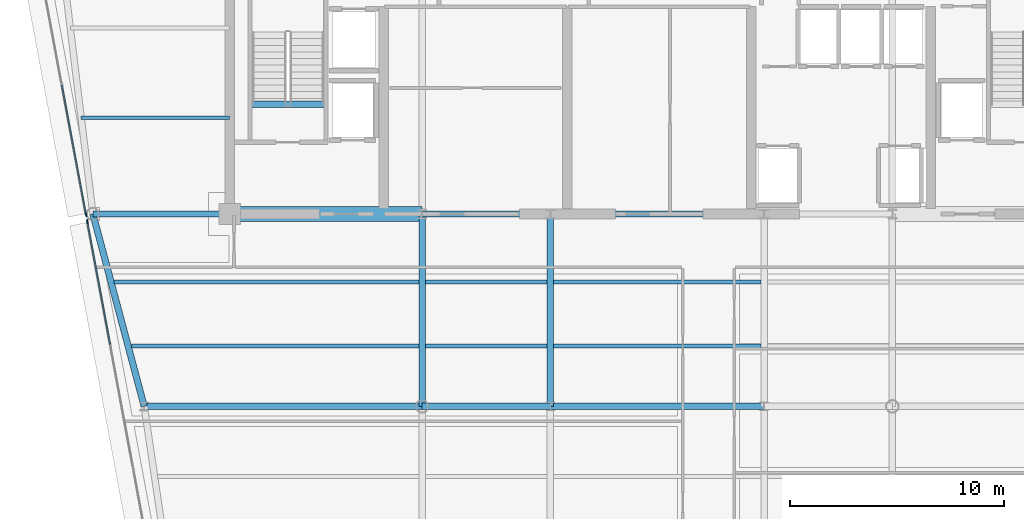
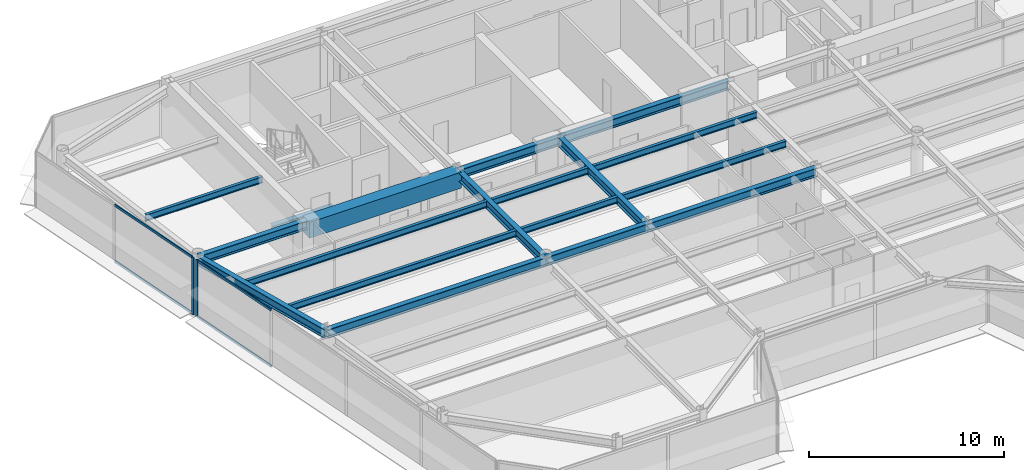
# One storey, part 4 of 18: 18 beams, 6 members, 2 elements without a shape of their own.
"""IFC4 building model written with IfcOpenShell, lengths in metres."""

from ifc_helpers import new_model, si_unit, direction, frame, origin, origin_2d, place, context, subcontext, project, spatial, rectangle, i_section, extrude, source, transform, mapped, material, layer, layer_set, material_profile, profile_set, type_object, element, aggregate, save


model = new_model("IFC4")

# Units and contexts
model_context = context("Model", 3, precision=1e-05, world=origin(), true_north=direction((0.0, 1.0)))
body_context = subcontext(model_context, "Body", "Model", "MODEL_VIEW")
ifc_project = project(units=[si_unit("LENGTHUNIT", "METRE"), si_unit("AREAUNIT", "SQUARE_METRE"), si_unit("VOLUMEUNIT", "CUBIC_METRE"), si_unit("PLANEANGLEUNIT", "RADIAN"), si_unit("MASSUNIT", "GRAM", prefix="KILO")], contexts=[model_context])

# Site, building, storey
site_placement = place(None, origin())
site = spatial("IfcSite", under=ifc_project, at=site_placement, CompositionType="ELEMENT")
building_placement = place(site_placement, origin())
building = spatial("IfcBuilding", under=site, at=building_placement, Name="Vaeldorn Concourse Tower", CompositionType="ELEMENT")
storey_placement = place(building_placement, frame((0.0, 0.0, 246.0)))
storey = spatial("IfcBuildingStorey", under=building, at=storey_placement, Name="L63", CompositionType="ELEMENT", Elevation=246.0)

# Beams
ifc_material_1 = material(Name="Concrete C50/60", Category="concrete")
ifc_material_profile_1 = material_profile(ifc_material_1, rectangle(XDim=0.699951171875, YDim=1.0, at=origin_2d()), Name="RC 700x1000")
ifc_profile_set_1 = profile_set([ifc_material_profile_1], Name="Concrete C50/60")
beam_type_1 = type_object("IfcBeamType", Name="BM-CB-RC700", PredefinedType="BEAM", material=ifc_profile_set_1)
shared_shape_1 = source(origin(), body_context, "Body", "SweptSolid", [
    extrude(rectangle(XDim=0.699951171875, YDim=1.0, at=origin_2d()), origin(), (0.0, 0.0, 1.0), 9.0),
])
beam_1_placement = place(storey_placement, frame((14.0, 36.5, 3.080078125), z_axis=(1.0, 0.0, 0.0), x_axis=(0.0, 1.0, 0.0)))
element("IfcBeam", 1, at=beam_1_placement, inside=storey, type_object=beam_type_1, Name="Core Coupling Beam L63-1", PredefinedType="BEAM", context=body_context, shape_type="MappedRepresentation", body=[
    mapped(shared_shape_1, transform((0.0, 0.0, 0.0), scale=1.0)),
])
ifc_material_2 = material(Name="Steel S355", Category="steel")
ifc_material_profile_2 = material_profile(ifc_material_2, i_section(OverallWidth=0.300048828125, OverallDepth=0.340087890625, WebThickness=0.011962890625, FlangeThickness=0.021484375, FilletRadius=0.027099609375, at=origin_2d()), Name="HEB 340")
ifc_profile_set_2 = profile_set([ifc_material_profile_2], Name="Steel S355")
beam_type_2 = type_object("IfcBeamType", Name="BM-ST-TRIM", PredefinedType="BEAM", material=ifc_profile_set_2)
shared_shape_2 = source(origin(), body_context, "Body", "SweptSolid", [
    extrude(i_section(OverallWidth=0.300048828125, OverallDepth=0.340087890625, WebThickness=0.011962890625, FlangeThickness=0.021484375, FilletRadius=0.027099609375, at=origin_2d()), origin(), (0.0, 0.0, 1.0), 3.590087890625),
])
beam_2_placement = place(storey_placement, frame((14.929931640625, 41.639892578125, -0.389892578125), z_axis=(1.0, 0.0, 0.0), x_axis=(0.0, 1.0, 0.0)))
element("IfcBeam", 2, at=beam_2_placement, inside=storey, type_object=beam_type_2, Name="Stair Landing Trimmer Beam ST-1 L63", PredefinedType="BEAM", context=body_context, shape_type="MappedRepresentation", body=[
    mapped(shared_shape_2, transform((0.0, 0.0, 0.0), scale=1.0)),
])
ifc_material_profile_3 = material_profile(ifc_material_2, i_section(OverallWidth=0.179931640625, OverallDepth=0.39990234375, WebThickness=0.008544921875, FlangeThickness=0.013427734375, FilletRadius=0.02099609375, at=origin_2d()), Name="IPE 400")
ifc_profile_set_3 = profile_set([ifc_material_profile_3], Name="Steel S355")
beam_type_3 = type_object("IfcBeamType", Name="BM-JS-IPE400", PredefinedType="JOIST", material=ifc_profile_set_3)
shared_shape_3 = source(origin(), body_context, "Body", "SweptSolid", [
    extrude(i_section(OverallWidth=0.179931640625, OverallDepth=0.39990234375, WebThickness=0.008544921875, FlangeThickness=0.013427734375, FilletRadius=0.02099609375, at=origin_2d()), origin(), (0.0, 0.0, 1.0), 5.7001953125),
])
for number, where, z_axis, x_axis, name in (
    (3, (23.14990234375, 30.320068359375, 3.3798828125), (1.0, 0.0, 0.0), (0.0, 1.0, 0.0), "Beam JS-L63-W2-303"),
    (4, (23.14990234375, 33.320068359375, 3.3798828125), (1.0, 0.0, 0.0), (0.0, 1.0, 0.0), "Beam JS-L63-W2-333"),
):
    element("IfcBeam", number, at=place(storey_placement, frame(where, z_axis=z_axis, x_axis=x_axis)), inside=storey, type_object=beam_type_3, Name=name, PredefinedType="JOIST", context=body_context, shape_type="MappedRepresentation", body=[
        mapped(shared_shape_3, transform((0.0, 0.0, 0.0), scale=1.0)),
    ])
shared_shape_4 = source(origin(), body_context, "Body", "SweptSolid", [
    extrude(i_section(OverallWidth=0.179931640625, OverallDepth=0.39990234375, WebThickness=0.008544921875, FlangeThickness=0.013427734375, FilletRadius=0.02099609375, at=origin_2d()), origin(), (0.0, 0.0, 1.0), 9.7001953125),
])
for number, where, z_axis, x_axis, name in (
    (5, (29.14990234375, 30.320068359375, 3.3798828125), (1.0, 0.0, 0.0), (0.0, 1.0, 0.0), "Beam JS-L63-C-303"),
    (6, (29.14990234375, 33.320068359375, 3.3798828125), (1.0, 0.0, 0.0), (0.0, 1.0, 0.0), "Beam JS-L63-C-333"),
):
    element("IfcBeam", number, at=place(storey_placement, frame(where, z_axis=z_axis, x_axis=x_axis)), inside=storey, type_object=beam_type_3, Name=name, PredefinedType="JOIST", context=body_context, shape_type="MappedRepresentation", body=[
        mapped(shared_shape_4, transform((0.0, 0.0, 0.0), scale=1.0)),
    ])
shared_shape_5 = source(origin(), body_context, "Body", "SweptSolid", [
    extrude(i_section(OverallWidth=0.179931640625, OverallDepth=0.39990234375, WebThickness=0.008544921875, FlangeThickness=0.013427734375, FilletRadius=0.02099609375, at=origin_2d()), origin(), (0.0, 0.0, 1.0), 6.94775390625),
])
beam_3_placement = place(storey_placement, frame((7.05224609375, 41.0, 3.3798828125), z_axis=(1.0, 0.0, 0.0), x_axis=(0.0, 1.0, 0.0)))
element("IfcBeam", 7, at=beam_3_placement, inside=storey, type_object=beam_type_3, Name="Beam JS-L63-NW-410", PredefinedType="JOIST", context=body_context, shape_type="MappedRepresentation", body=[
    mapped(shared_shape_5, transform((0.0, 0.0, 0.0), scale=1.0)),
])
shared_shape_6 = source(origin(), body_context, "Body", "SweptSolid", [
    extrude(i_section(OverallWidth=0.179931640625, OverallDepth=0.39990234375, WebThickness=0.008544921875, FlangeThickness=0.013427734375, FilletRadius=0.02099609375, at=origin_2d()), origin(), (0.0, 0.0, 1.0), 13.4521484375),
])
beam_4_placement = place(storey_placement, frame((9.39794921875, 30.320068359375, 3.3798828125), z_axis=(1.0, 0.0, 0.0), x_axis=(0.0, 1.0, 0.0)))
element("IfcBeam", 8, at=beam_4_placement, inside=storey, type_object=beam_type_3, Name="Beam JS-L63-W1-303", PredefinedType="JOIST", context=body_context, shape_type="MappedRepresentation", body=[
    mapped(shared_shape_6, transform((0.0, 0.0, 0.0), scale=1.0)),
])
shared_shape_7 = source(origin(), body_context, "Body", "SweptSolid", [
    extrude(i_section(OverallWidth=0.179931640625, OverallDepth=0.39990234375, WebThickness=0.008544921875, FlangeThickness=0.013427734375, FilletRadius=0.02099609375, at=origin_2d()), origin(), (0.0, 0.0, 1.0), 14.252197265625),
])
beam_5_placement = place(storey_placement, frame((8.597900390625, 33.320068359375, 3.3798828125), z_axis=(1.0, 0.0, 0.0), x_axis=(0.0, 1.0, 0.0)))
element("IfcBeam", 9, at=beam_5_placement, inside=storey, type_object=beam_type_3, Name="Beam JS-L63-W1-333", PredefinedType="JOIST", context=body_context, shape_type="MappedRepresentation", body=[
    mapped(shared_shape_7, transform((0.0, 0.0, 0.0), scale=1.0)),
])
ifc_material_profile_4 = material_profile(ifc_material_2, i_section(OverallWidth=0.300048828125, OverallDepth=0.550048828125, WebThickness=0.014892578125, FlangeThickness=0.029052734375, FilletRadius=0.027099609375, at=origin_2d()), Name="HEB 550")
ifc_profile_set_4 = profile_set([ifc_material_profile_4], Name="Steel S355")
beam_type_4 = type_object("IfcBeamType", Name="BM-PG-HEB550", PredefinedType="BEAM", material=ifc_profile_set_4)
shared_shape_8 = source(origin(), body_context, "Body", "SweptSolid", [
    extrude(i_section(OverallWidth=0.300048828125, OverallDepth=0.550048828125, WebThickness=0.014892578125, FlangeThickness=0.029052734375, FilletRadius=0.027099609375, at=origin_2d()), origin(), (0.0, 0.0, 1.0), 6.0),
])
for number, where, z_axis, x_axis, name in (
    (10, (23.0, 36.5, 3.304931640625), (1.0, 0.0, 0.0), (0.0, 1.0, 0.0), "Beam BM-L63-C-FC2-C-FC3"),
    (11, (23.0, 27.5, 3.304931640625), (1.0, 0.0, 0.0), (0.0, 1.0, 0.0), "Beam BM-L63-C-TW1-C-TW2"),
):
    element("IfcBeam", number, at=place(storey_placement, frame(where, z_axis=z_axis, x_axis=x_axis)), inside=storey, type_object=beam_type_4, Name=name, PredefinedType="BEAM", context=body_context, shape_type="MappedRepresentation", body=[
        mapped(shared_shape_8, transform((0.0, 0.0, 0.0), scale=1.0)),
    ])
shared_shape_9 = source(origin(), body_context, "Body", "SweptSolid", [
    extrude(i_section(OverallWidth=0.300048828125, OverallDepth=0.550048828125, WebThickness=0.014892578125, FlangeThickness=0.029052734375, FilletRadius=0.027099609375, at=origin_2d()), origin(), (0.0, 0.0, 1.0), 10.0),
])
for number, where, z_axis, x_axis, name in (
    (12, (29.0, 36.5, 3.304931640625), (1.0, 0.0, 0.0), (0.0, 1.0, 0.0), "Beam BM-L63-C-FC3-C-FC4"),
    (13, (29.0, 27.5, 3.304931640625), (1.0, 0.0, 0.0), (0.0, 1.0, 0.0), "Beam BM-L63-C-TW2-C-TW3"),
):
    element("IfcBeam", number, at=place(storey_placement, frame(where, z_axis=z_axis, x_axis=x_axis)), inside=storey, type_object=beam_type_4, Name=name, PredefinedType="BEAM", context=body_context, shape_type="MappedRepresentation", body=[
        mapped(shared_shape_9, transform((0.0, 0.0, 0.0), scale=1.0)),
    ])
shared_shape_10 = source(origin(), body_context, "Body", "SweptSolid", [
    extrude(i_section(OverallWidth=0.300048828125, OverallDepth=0.550048828125, WebThickness=0.014892578125, FlangeThickness=0.029052734375, FilletRadius=0.027099609375, at=origin_2d()), origin(), (0.0, 0.0, 1.0), 9.0),
])
for number, where, z_axis, x_axis, name in (
    (14, (23.0, 27.5, 3.304931640625), (0.0, 1.0, 0.0), (-1.0, 0.0, 0.0), "Beam BM-L63-C-TW1-C-FC2"),
    (15, (29.0, 27.5, 3.304931640625), (0.0, 1.0, 0.0), (-1.0, 0.0, 0.0), "Beam BM-L63-C-TW2-C-FC3"),
):
    element("IfcBeam", number, at=place(storey_placement, frame(where, z_axis=z_axis, x_axis=x_axis)), inside=storey, type_object=beam_type_4, Name=name, PredefinedType="BEAM", context=body_context, shape_type="MappedRepresentation", body=[
        mapped(shared_shape_10, transform((0.0, 0.0, 0.0), scale=1.0)),
    ])
shared_shape_11 = source(origin(), body_context, "Body", "SweptSolid", [
    extrude(i_section(OverallWidth=0.300048828125, OverallDepth=0.550048828125, WebThickness=0.014892578125, FlangeThickness=0.029052734375, FilletRadius=0.027099609375, at=origin_2d()), origin(), (0.0, 0.0, 1.0), 6.39990234375),
])
beam_6_placement = place(storey_placement, frame((7.60009765625, 36.5, 3.304931640625), z_axis=(1.0, 0.0, 0.0), x_axis=(0.0, 1.0, 0.0)))
element("IfcBeam", 16, at=beam_6_placement, inside=storey, type_object=beam_type_4, Name="Beam BM-L63-C-NW2-C-FC1", PredefinedType="BEAM", context=body_context, shape_type="MappedRepresentation", body=[
    mapped(shared_shape_11, transform((0.0, 0.0, 0.0), scale=1.0)),
])
shared_shape_12 = source(origin(), body_context, "Body", "SweptSolid", [
    extrude(i_section(OverallWidth=0.300048828125, OverallDepth=0.550048828125, WebThickness=0.014892578125, FlangeThickness=0.029052734375, FilletRadius=0.027099609375, at=origin_2d()), origin(), (0.0, 0.0, 1.0), 9.314453125),
])
beam_7_placement = place(storey_placement, frame((7.60009765625, 36.5, 3.304931640625), z_axis=(0.257652862255, -0.966237549763, 0.0), x_axis=(0.966237549763, 0.257652862255, 0.0)))
element("IfcBeam", 17, at=beam_7_placement, inside=storey, type_object=beam_type_4, Name="Beam BM-L63-C-NW2-C-FLW1", PredefinedType="BEAM", context=body_context, shape_type="MappedRepresentation", body=[
    mapped(shared_shape_12, transform((0.0, 0.0, 0.0), scale=1.0)),
])
shared_shape_13 = source(origin(), body_context, "Body", "SweptSolid", [
    extrude(i_section(OverallWidth=0.300048828125, OverallDepth=0.550048828125, WebThickness=0.014892578125, FlangeThickness=0.029052734375, FilletRadius=0.027099609375, at=origin_2d()), origin(), (0.0, 0.0, 1.0), 13.0),
])
beam_8_placement = place(storey_placement, frame((10.0, 27.5, 3.304931640625), z_axis=(1.0, 0.0, 0.0), x_axis=(0.0, 1.0, 0.0)))
element("IfcBeam", 18, at=beam_8_placement, inside=storey, type_object=beam_type_4, Name="Beam BM-L63-C-FLW1-C-TW1", PredefinedType="BEAM", context=body_context, shape_type="MappedRepresentation", body=[
    mapped(shared_shape_13, transform((0.0, 0.0, 0.0), scale=1.0)),
])

# Curtain wall, member
ifc_material_3 = material(Name="Anodised Bronze Aluminium", Category="aluminium")
ifc_layer = layer(ifc_material_3, 0.179931640625)
ifc_layer_set = layer_set([ifc_layer], Name="Anodised Bronze Aluminium")
curtain_wall_type = type_object("IfcCurtainWallType", Name="CW-SYS-05", PredefinedType="NOTDEFINED", material=ifc_layer_set)
curtain_wall_1_placement = place(storey_placement, origin())
curtain_wall_1 = element("IfcCurtainWall", 19, at=curtain_wall_1_placement, inside=storey, type_object=curtain_wall_type, Name="Unitised Curtain Wall CW-L63-E11-1", PredefinedType="NOTDEFINED")
ifc_material_profile_5 = material_profile(ifc_material_3, rectangle(XDim=0.06494140625, YDim=0.169921875, at=origin_2d()), Name="CWM 65x170")
ifc_profile_set_5 = profile_set([ifc_material_profile_5], Name="Anodised Bronze Aluminium")
member_type_1 = type_object("IfcMemberType", Name="CWM-BRONZE-170", PredefinedType="MULLION", material=ifc_profile_set_5)
shared_shape_14 = source(origin(), body_context, "Body", "SweptSolid", [
    extrude(rectangle(XDim=0.06494140625, YDim=0.169921875, at=origin_2d()), origin(), (0.0, 0.0, 1.0), 3.580078125),
])
member_1_placement = place(storey_placement, frame((7.279052734375, 36.460205078125, 0.0), z_axis=(0.0, 0.0, 1.0), x_axis=(0.983102768025, 0.183054493257, 0.0)))
member_1 = element("IfcMember", 20, at=member_1_placement, type_object=member_type_1, Name="CW-05 mullion 3", PredefinedType="MULLION", context=body_context, shape_type="MappedRepresentation", body=[
    mapped(shared_shape_14, transform((0.0, 0.0, 0.0), scale=1.0)),
])

# Curtain wall, members
curtain_wall_2_placement = place(storey_placement, origin())
curtain_wall_2 = element("IfcCurtainWall", 21, at=curtain_wall_2_placement, inside=storey, type_object=curtain_wall_type, Name="Unitised Curtain Wall CW-L63-E11-2", PredefinedType="NOTDEFINED")
member_2_placement = place(storey_placement, frame((7.336181640625, 36.153076171875, 0.0), z_axis=(0.0, 0.0, 1.0), x_axis=(0.983102653673, 0.18305510739, 0.0)))
member_2 = element("IfcMember", 22, at=member_2_placement, type_object=member_type_1, Name="CW-05 mullion 1", PredefinedType="MULLION", context=body_context, shape_type="MappedRepresentation", body=[
    mapped(shared_shape_14, transform((0.0, 0.0, 0.0), scale=1.0)),
])
ifc_material_profile_6 = material_profile(ifc_material_3, rectangle(XDim=0.06494140625, YDim=0.14990234375, at=origin_2d()), Name="CWT 65x150")
ifc_profile_set_6 = profile_set([ifc_material_profile_6], Name="Anodised Bronze Aluminium")
member_type_2 = type_object("IfcMemberType", Name="CWT-BRONZE-150", PredefinedType="USERDEFINED", material=ifc_profile_set_6)
shared_shape_15 = source(origin(), body_context, "Body", "SweptSolid", [
    extrude(rectangle(XDim=0.06494140625, YDim=0.14990234375, at=origin_2d()), origin(), (0.0, 0.0, 1.0), 5.82373046875),
])
member_3_placement = place(storey_placement, frame((7.34228515625, 36.12109375, 0.032470703125), z_axis=(0.183030414843, -0.983107251139, 0.0), x_axis=(0.983107251139, 0.183030414843, 0.0)))
member_3 = element("IfcMember", 23, at=member_3_placement, type_object=member_type_2, Name="CW-05 transom 1.1", ObjectType="TRANSOM", PredefinedType="USERDEFINED", context=body_context, shape_type="MappedRepresentation", body=[
    mapped(shared_shape_15, transform((0.0, 0.0, 0.0), scale=1.0)),
])
member_4_placement = place(storey_placement, frame((7.34228515625, 36.12109375, 3.547607421875), z_axis=(0.183030414843, -0.983107251139, 0.0), x_axis=(0.983107251139, 0.183030414843, 0.0)))
member_4 = element("IfcMember", 24, at=member_4_placement, type_object=member_type_2, Name="CW-05 transom 1.2", ObjectType="TRANSOM", PredefinedType="USERDEFINED", context=body_context, shape_type="MappedRepresentation", body=[
    mapped(shared_shape_15, transform((0.0, 0.0, 0.0), scale=1.0)),
])
aggregate(curtain_wall_2, [member_2, member_3, member_4])

# Member
shared_shape_16 = source(origin(), body_context, "Body", "SweptSolid", [
    extrude(rectangle(XDim=0.06494140625, YDim=0.14990234375, at=origin_2d()), origin(), (0.0, 0.0, 1.0), 6.143798828125),
])
member_5_placement = place(storey_placement, frame((6.1484375, 42.5322265625, 0.032470703125), z_axis=(0.183069583935, -0.983099958009, 0.0), x_axis=(0.983099958009, 0.183069583935, 0.0)))
member_5 = element("IfcMember", 25, at=member_5_placement, type_object=member_type_2, Name="CW-05 transom 2.1", ObjectType="TRANSOM", PredefinedType="USERDEFINED", context=body_context, shape_type="MappedRepresentation", body=[
    mapped(shared_shape_16, transform((0.0, 0.0, 0.0), scale=1.0)),
])

member_6_placement = place(storey_placement, frame((6.1484375, 42.5322265625, 3.547607421875), z_axis=(0.183069583935, -0.983099958009, 0.0), x_axis=(0.983099958009, 0.183069583935, 0.0)))
member_6 = element("IfcMember", 26, at=member_6_placement, type_object=member_type_2, Name="CW-05 transom 2.2", ObjectType="TRANSOM", PredefinedType="USERDEFINED", context=body_context, shape_type="MappedRepresentation", body=[
    mapped(shared_shape_16, transform((0.0, 0.0, 0.0), scale=1.0)),
])

aggregate(curtain_wall_1, [member_1, member_5, member_6])

save(model, "model.ifc")
